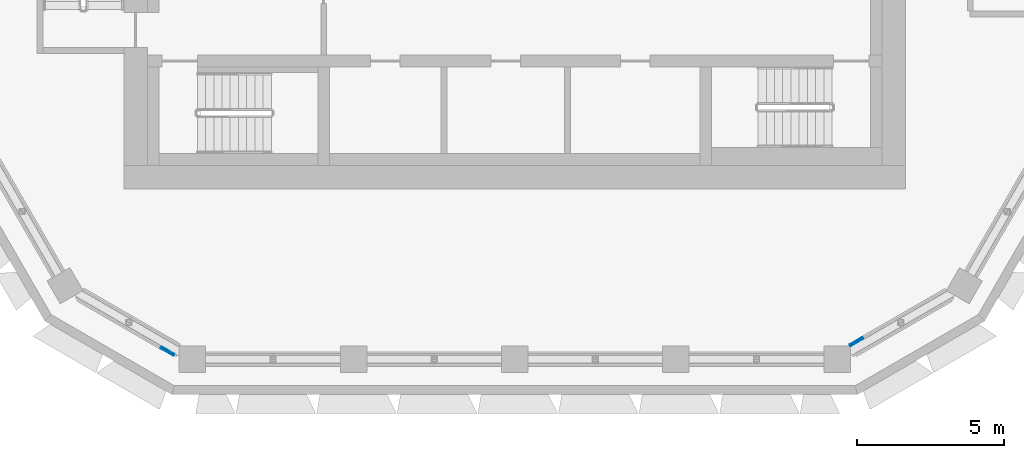
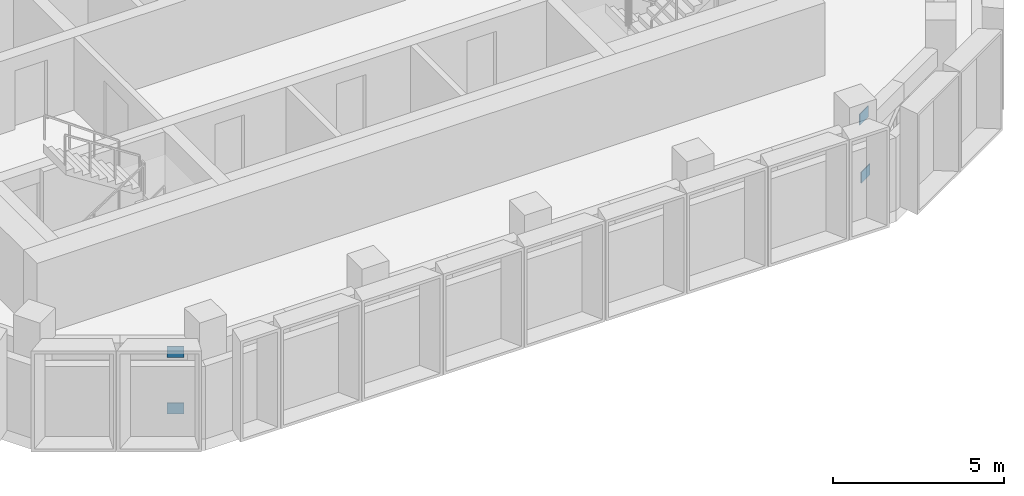
# One storey, part 14 of 22: 4 discrete accessories.
"""IFC4 building model written with IfcOpenShell, lengths in metres."""

from ifc_helpers import new_model, si_unit, direction, frame, origin, origin_2d, place, context, subcontext, project, spatial, rectangle, extrude, material, type_object, element, save


model = new_model("IFC4")

# Units and contexts
model_context = context("Model", 3, precision=1e-05, world=origin(), true_north=direction((0.0, 1.0)))
body_context = subcontext(model_context, "Body", "Model", "MODEL_VIEW")
ifc_project = project(units=[si_unit("LENGTHUNIT", "METRE"), si_unit("AREAUNIT", "SQUARE_METRE"), si_unit("VOLUMEUNIT", "CUBIC_METRE"), si_unit("PLANEANGLEUNIT", "RADIAN"), si_unit("MASSUNIT", "GRAM", prefix="KILO")], contexts=[model_context])

# Site, building, storey
site_placement = place(None, origin())
site = spatial("IfcSite", under=ifc_project, at=site_placement, CompositionType="ELEMENT")
building_placement = place(site_placement, origin())
building = spatial("IfcBuilding", under=site, at=building_placement, Name="Beryl Residences", CompositionType="ELEMENT")
storey_placement = place(building_placement, frame((0.0, 0.0, 153.60009765625)))
storey = spatial("IfcBuildingStorey", under=building, at=storey_placement, Name="L47", CompositionType="ELEMENT", Elevation=153.60009765625)

# Discrete accessories
ifc_material = material(Name="Steel S355", Category="steel")
discrete_accessory_type = type_object("IfcDiscreteAccessoryType", Name="GP1 chord end gusset plate 500 x 400 x 25 mm", PredefinedType="BRACKET", material=ifc_material)
for number, where, z_axis, x_axis, name in (
    (1, (-11.827880859375, -24.549072265625, 2.099853515625), (0.0, 0.0, 1.0), (-0.865982640051, 0.500074061645, 0.0), "GP1 gusset plate L47 Tb SW-4"),
    (2, (-11.802978515625, -24.506103515625, 0.050048828125), (0.0, 0.0, 1.0), (-0.865982640051, 0.500074061645, 0.0), "GP1 gusset plate L47 Bb SW-4"),
    (3, (11.617919921875, -24.180908203125, 2.099853515625), (0.0, 0.0, 1.0), (0.865918919068, 0.500184391599, 0.0), "GP1 gusset plate L47 Ta S-4"),
    (4, (11.64306640625, -24.22412109375, 0.050048828125), (0.0, 0.0, 1.0), (0.865918919068, 0.500184391599, 0.0), "GP1 gusset plate L47 Ba S-4"),
):
    element("IfcDiscreteAccessory", number, at=place(storey_placement, frame(where, z_axis=z_axis, x_axis=x_axis)), inside=storey, type_object=discrete_accessory_type, Name=name, PredefinedType="BRACKET", context=body_context, shape_type="SweptSolid", body=[
        extrude(rectangle(XDim=0.5, YDim=0.02490234375, at=origin_2d()), origin(), (0.0, 0.0, 1.0), 0.39990234375),
    ])

save(model, "model.ifc")
